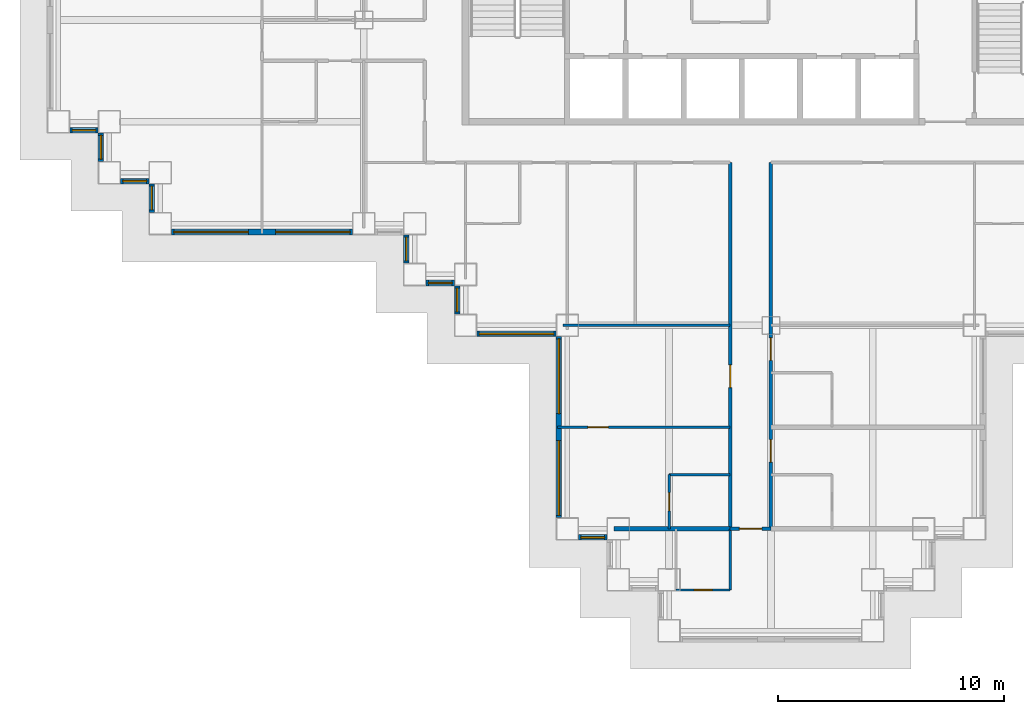
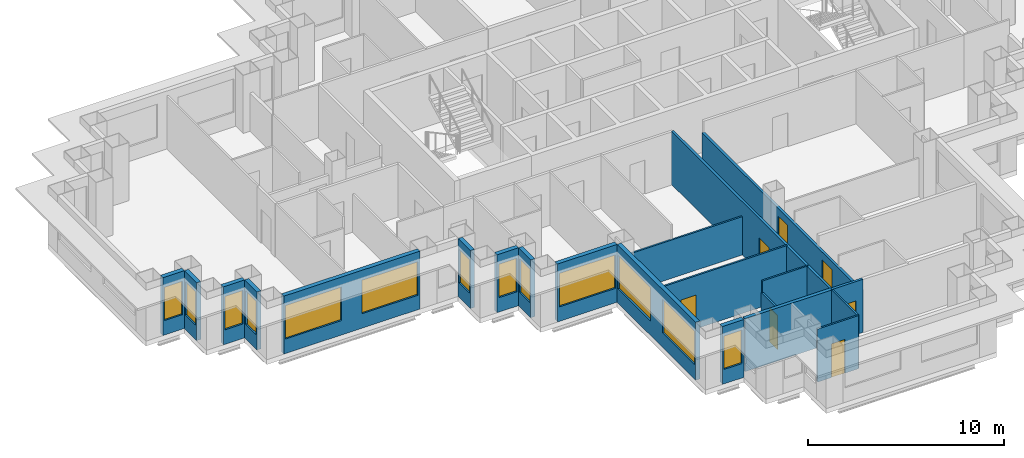
# One storey, part 3 of 14: 21 walls, 13 windows, 7 doors, 20 openings.
"""IFC4 building model written with IfcOpenShell, lengths in metres."""

from ifc_helpers import new_model, si_unit, direction, frame, frame_2d, origin, place, context, subcontext, project, spatial, rectangle, extrude, material, layer, layer_set, type_object, element, fill, save


model = new_model("IFC4")

# Units and contexts
model_context = context("Model", 3, precision=1e-05, world=origin(), true_north=direction((0.0, 1.0)))
body_context = subcontext(model_context, "Body", "Model", "MODEL_VIEW")
ifc_project = project(units=[si_unit("LENGTHUNIT", "METRE"), si_unit("AREAUNIT", "SQUARE_METRE"), si_unit("VOLUMEUNIT", "CUBIC_METRE"), si_unit("PLANEANGLEUNIT", "RADIAN"), si_unit("MASSUNIT", "GRAM", prefix="KILO")], contexts=[model_context])

# Site, building, storey
site_placement = place(None, origin())
site = spatial("IfcSite", under=ifc_project, at=site_placement, CompositionType="ELEMENT")
building_placement = place(site_placement, origin())
building = spatial("IfcBuilding", under=site, at=building_placement, Name="Caravel Reach Hotel and Residences", CompositionType="ELEMENT")
storey_placement = place(building_placement, frame((0.0, 0.0, 67.199951171875)))
storey = spatial("IfcBuildingStorey", under=building, at=storey_placement, Name="L15", CompositionType="ELEMENT", Elevation=67.199951171875)

# Wall, opening, door
ifc_material_1 = material(Name="Gypsum board on steel stud", Category="steel")
ifc_layer_1 = layer(ifc_material_1, 0.10009765625)
ifc_layer_set_1 = layer_set([ifc_layer_1], Name="Bathroom pod wall 100 mm")
wall_type_1 = type_object("IfcWallType", Name="Bathroom pod wall 100 mm", PredefinedType="PARTITIONING", material=ifc_layer_set_1)
wall_1_placement = place(storey_placement, frame((27.300048828125, 1.800048828125, 0.0), z_axis=(0.0, 0.0, 1.0), x_axis=(1.0, 0.0, 0.0)))
wall_1 = element("IfcWall", 1, at=wall_1_placement, inside=storey, type_object=wall_type_1, Name="L15 wall w073", PredefinedType="PARTITIONING", context=body_context, shape_type="SweptSolid", body=[
    extrude(rectangle(XDim=2.39990234375, YDim=0.10009765625, at=frame_2d((1.199951171875, 0.0))), origin(), (0.0, 0.0, 1.0), 3.300048828125),
])
opening_1_placement = place(wall_1_placement, frame((0.800048828125, 0.0, 0.0)))
opening_1 = element("IfcOpeningElement", 2, at=opening_1_placement, cuts=wall_1, Name="Opening D15-041", PredefinedType="OPENING", context=body_context, shape_type="SweptSolid", body=[
    extrude(rectangle(XDim=0.800048828125, YDim=2.10009765625, at=frame_2d((0.39990234375, 1.050048828125))), frame((0.0, 0.06005859375, 0.0), z_axis=(0.0, -1.0, 0.0), x_axis=(1.0, 0.0, 0.0)), (0.0, 0.0, 1.0), 0.1201171875),
])
ifc_material_2 = material(Name="Timber and steel door leaf", Category="steel")
door_type_1 = type_object("IfcDoorType", Name="Bathroom door 800 x 2100", OperationType="SINGLE_SWING_LEFT", PredefinedType="DOOR", material=ifc_material_2)
door_1_placement = place(opening_1_placement, origin())
door_1 = element("IfcDoor", 3, at=door_1_placement, inside=storey, type_object=door_type_1, Name="door D15-041", OperationType="SINGLE_SWING_RIGHT", OverallHeight=2.10009765625, OverallWidth=0.800048828125, PredefinedType="DOOR", context=body_context, shape_type="SweptSolid", body=[
    extrude(rectangle(XDim=0.800048828125, YDim=2.10009765625, at=frame_2d((0.39990234375, 1.050048828125))), frame((0.0, 0.02490234375, 0.0), z_axis=(0.0, -1.0, 0.0), x_axis=(1.0, 0.0, 0.0)), (0.0, 0.0, 1.0), 0.050048828125),
])
fill(opening_1, door_1)

# Wall
wall_2_placement = place(storey_placement, frame((27.0, 6.89990234375, 0.0), z_axis=(0.0, 0.0, 1.0), x_axis=(1.0, 0.0, 0.0)))
element("IfcWall", 4, at=wall_2_placement, inside=storey, type_object=wall_type_1, Name="L15 wall w087", PredefinedType="PARTITIONING", context=body_context, shape_type="SweptSolid", body=[
    extrude(rectangle(XDim=2.699951171875, YDim=0.10009765625, at=frame_2d((1.35009765625, 0.0))), origin(), (0.0, 0.0, 1.0), 3.300048828125),
])

# Wall, opening, door
wall_3_placement = place(storey_placement, frame((27.0, 4.5, 0.0), z_axis=(0.0, 0.0, 1.0), x_axis=(0.0, 1.0, 0.0)))
wall_3 = element("IfcWall", 5, at=wall_3_placement, inside=storey, type_object=wall_type_1, Name="L15 wall w093", PredefinedType="PARTITIONING", context=body_context, shape_type="SweptSolid", body=[
    extrude(rectangle(XDim=2.39990234375, YDim=0.10009765625, at=frame_2d((1.199951171875, 0.0))), origin(), (0.0, 0.0, 1.0), 2.580078125),
])
opening_2_placement = place(wall_3_placement, frame((0.800048828125, 0.0, 0.0)))
opening_2 = element("IfcOpeningElement", 6, at=opening_2_placement, cuts=wall_3, Name="Opening D15-032", PredefinedType="OPENING", context=body_context, shape_type="SweptSolid", body=[
    extrude(rectangle(XDim=0.800048828125, YDim=2.10009765625, at=frame_2d((0.39990234375, 1.050048828125))), frame((0.0, 0.06005859375, 0.0), z_axis=(0.0, -1.0, 0.0), x_axis=(1.0, 0.0, 0.0)), (0.0, 0.0, 1.0), 0.1201171875),
])
door_2_placement = place(opening_2_placement, origin())
door_2 = element("IfcDoor", 7, at=door_2_placement, inside=storey, type_object=door_type_1, Name="door D15-032", OperationType="SINGLE_SWING_RIGHT", OverallHeight=2.10009765625, OverallWidth=0.800048828125, PredefinedType="DOOR", context=body_context, shape_type="SweptSolid", body=[
    extrude(rectangle(XDim=0.800048828125, YDim=2.10009765625, at=frame_2d((0.39990234375, 1.050048828125))), frame((0.0, 0.02490234375, 0.0), z_axis=(0.0, -1.0, 0.0), x_axis=(1.0, 0.0, 0.0)), (0.0, 0.0, 1.0), 0.050048828125),
])
fill(opening_2, door_2)

# Wall
wall_4_placement = place(storey_placement, frame((29.699951171875, 1.800048828125, 0.0), z_axis=(0.0, 0.0, 1.0), x_axis=(0.0, 1.0, 0.0)))
element("IfcWall", 8, at=wall_4_placement, inside=storey, type_object=wall_type_1, Name="L15 wall w097", PredefinedType="PARTITIONING", context=body_context, shape_type="SweptSolid", body=[
    extrude(rectangle(XDim=2.699951171875, YDim=0.10009765625, at=frame_2d((1.35009765625, 0.0))), origin(), (0.0, 0.0, 1.0), 3.300048828125),
])

# Wall, opening, door
ifc_material_3 = material(Name="Gypsum board on steel stud, fire-rated", Category="steel")
ifc_layer_2 = layer(ifc_material_3, 0.14990234375)
ifc_layer_set_2 = layer_set([ifc_layer_2], Name="Corridor wall 150 mm EI 60")
wall_type_2 = type_object("IfcWallType", Name="Corridor wall 150 mm EI 60", PredefinedType="PARTITIONING", material=ifc_layer_set_2)
wall_5_placement = place(storey_placement, frame((29.699951171875, 4.5, 0.0), z_axis=(0.0, 0.0, 1.0), x_axis=(1.0, 0.0, 0.0)))
wall_5 = element("IfcWall", 9, at=wall_5_placement, inside=storey, type_object=wall_type_2, Name="L15 wall w019", PredefinedType="PARTITIONING", context=body_context, shape_type="SweptSolid", body=[
    extrude(rectangle(XDim=1.800048828125, YDim=0.14990234375, at=frame_2d((0.89990234375, 0.0))), origin(), (0.0, 0.0, 1.0), 3.300048828125),
])
opening_3_placement = place(wall_5_placement, frame((0.39990234375, 0.0, 0.0)))
opening_3 = element("IfcOpeningElement", 10, at=opening_3_placement, cuts=wall_5, Name="Opening D15-040", PredefinedType="OPENING", context=body_context, shape_type="SweptSolid", body=[
    extrude(rectangle(XDim=1.0, YDim=2.10009765625, at=frame_2d((0.5, 1.050048828125))), frame((0.0, 0.0849609375, 0.0), z_axis=(0.0, -1.0, 0.0), x_axis=(1.0, 0.0, 0.0)), (0.0, 0.0, 1.0), 0.169921875),
])
ifc_material_4 = material(Name="Steel fire door leaf", Category="steel")
door_type_2 = type_object("IfcDoorType", Name="Guest room door 1000 x 2100 EI 30", OperationType="SINGLE_SWING_LEFT", PredefinedType="DOOR", material=ifc_material_4)
door_3_placement = place(opening_3_placement, origin())
door_3 = element("IfcDoor", 11, at=door_3_placement, inside=storey, type_object=door_type_2, Name="door D15-040", OperationType="SINGLE_SWING_RIGHT", OverallHeight=2.10009765625, OverallWidth=1.0, PredefinedType="DOOR", context=body_context, shape_type="SweptSolid", body=[
    extrude(rectangle(XDim=1.0, YDim=2.10009765625, at=frame_2d((0.5, 1.050048828125))), frame((0.0, 0.02490234375, 0.0), z_axis=(0.0, -1.0, 0.0), x_axis=(1.0, 0.0, 0.0)), (0.0, 0.0, 1.0), 0.050048828125),
])
fill(opening_3, door_3)

wall_6_placement = place(storey_placement, frame((29.699951171875, 4.5, 0.0), z_axis=(0.0, 0.0, 1.0), x_axis=(0.0, 1.0, 0.0)))
wall_6 = element("IfcWall", 12, at=wall_6_placement, inside=storey, type_object=wall_type_2, Name="L15 wall w024", PredefinedType="PARTITIONING", context=body_context, shape_type="SweptSolid", body=[
    extrude(rectangle(XDim=16.199951171875, YDim=0.14990234375, at=frame_2d((8.10009765625, 0.0))), origin(), (0.0, 0.0, 1.0), 3.300048828125),
])
opening_4_placement = place(wall_6_placement, frame((6.25, 0.0, 0.0)))
opening_4 = element("IfcOpeningElement", 13, at=opening_4_placement, cuts=wall_6, Name="Opening D15-030", PredefinedType="OPENING", context=body_context, shape_type="SweptSolid", body=[
    extrude(rectangle(XDim=1.0, YDim=2.10009765625, at=frame_2d((0.5, 1.050048828125))), frame((0.0, 0.0849609375, 0.0), z_axis=(0.0, -1.0, 0.0), x_axis=(1.0, 0.0, 0.0)), (0.0, 0.0, 1.0), 0.169921875),
])
door_4_placement = place(opening_4_placement, origin())
door_4 = element("IfcDoor", 14, at=door_4_placement, inside=storey, type_object=door_type_2, Name="door D15-030", OperationType="SINGLE_SWING_LEFT", OverallHeight=2.10009765625, OverallWidth=1.0, PredefinedType="DOOR", context=body_context, shape_type="SweptSolid", body=[
    extrude(rectangle(XDim=1.0, YDim=2.10009765625, at=frame_2d((0.5, 1.050048828125))), frame((0.0, 0.02490234375, 0.0), z_axis=(0.0, -1.0, 0.0), x_axis=(1.0, 0.0, 0.0)), (0.0, 0.0, 1.0), 0.050048828125),
])
fill(opening_4, door_4)

# Wall, openings, doors
wall_7_placement = place(storey_placement, frame((31.5, 4.5, 0.0), z_axis=(0.0, 0.0, 1.0), x_axis=(0.0, 1.0, 0.0)))
wall_7 = element("IfcWall", 15, at=wall_7_placement, inside=storey, type_object=wall_type_2, Name="L15 wall w029", PredefinedType="PARTITIONING", context=body_context, shape_type="SweptSolid", body=[
    extrude(rectangle(XDim=16.199951171875, YDim=0.14990234375, at=frame_2d((8.10009765625, 0.0))), origin(), (0.0, 0.0, 1.0), 2.580078125),
])
opening_5_placement = place(wall_7_placement, frame((7.449951171875, 0.0, 0.0)))
opening_5 = element("IfcOpeningElement", 16, at=opening_5_placement, cuts=wall_7, Name="Opening D15-033", PredefinedType="OPENING", context=body_context, shape_type="SweptSolid", body=[
    extrude(rectangle(XDim=1.0, YDim=2.10009765625, at=frame_2d((0.5, 1.050048828125))), frame((0.0, 0.0849609375, 0.0), z_axis=(0.0, -1.0, 0.0), x_axis=(1.0, 0.0, 0.0)), (0.0, 0.0, 1.0), 0.169921875),
])
opening_6_placement = place(wall_7_placement, frame((2.949951171875, 0.0, 0.0)))
opening_6 = element("IfcOpeningElement", 17, at=opening_6_placement, cuts=wall_7, Name="Opening D15-035", PredefinedType="OPENING", context=body_context, shape_type="SweptSolid", body=[
    extrude(rectangle(XDim=1.0, YDim=2.10009765625, at=frame_2d((0.5, 1.050048828125))), frame((0.0, 0.0849609375, 0.0), z_axis=(0.0, -1.0, 0.0), x_axis=(1.0, 0.0, 0.0)), (0.0, 0.0, 1.0), 0.169921875),
])
door_5_placement = place(opening_5_placement, origin())
door_5 = element("IfcDoor", 18, at=door_5_placement, inside=storey, type_object=door_type_2, Name="door D15-033", OperationType="SINGLE_SWING_RIGHT", OverallHeight=2.10009765625, OverallWidth=1.0, PredefinedType="DOOR", context=body_context, shape_type="SweptSolid", body=[
    extrude(rectangle(XDim=1.0, YDim=2.10009765625, at=frame_2d((0.5, 1.050048828125))), frame((0.0, 0.02490234375, 0.0), z_axis=(0.0, -1.0, 0.0), x_axis=(1.0, 0.0, 0.0)), (0.0, 0.0, 1.0), 0.050048828125),
])
fill(opening_5, door_5)
door_6_placement = place(opening_6_placement, origin())
door_6 = element("IfcDoor", 19, at=door_6_placement, inside=storey, type_object=door_type_2, Name="door D15-035", OperationType="SINGLE_SWING_RIGHT", OverallHeight=2.10009765625, OverallWidth=1.0, PredefinedType="DOOR", context=body_context, shape_type="SweptSolid", body=[
    extrude(rectangle(XDim=1.0, YDim=2.10009765625, at=frame_2d((0.5, 1.050048828125))), frame((0.0, 0.02490234375, 0.0), z_axis=(0.0, -1.0, 0.0), x_axis=(1.0, 0.0, 0.0)), (0.0, 0.0, 1.0), 0.050048828125),
])
fill(opening_6, door_6)

# Wall, opening, window
ifc_material_5 = material(Name="Insulated rainscreen wall, aluminium cladding", Category="aluminium")
ifc_layer_3 = layer(ifc_material_5, 0.25)
ifc_layer_set_3 = layer_set([ifc_layer_3], Name="EW1 Tower rainscreen wall")
wall_type_3 = type_object("IfcWallType", Name="EW1 Tower rainscreen wall", PredefinedType="SOLIDWALL", material=ifc_layer_set_3)
wall_8_placement = place(storey_placement, frame((23.0, 4.125, 0.0), z_axis=(0.0, 0.0, 1.0), x_axis=(1.0, 0.0, 0.0)))
wall_8 = element("IfcWall", 20, at=wall_8_placement, inside=storey, type_object=wall_type_3, Name="External wall L15 S1.1", PredefinedType="SOLIDWALL", context=body_context, shape_type="SweptSolid", body=[
    extrude(rectangle(XDim=1.25, YDim=0.25, at=frame_2d((0.625, 0.0))), origin(), (0.0, 0.0, 1.0), 3.60009765625),
])
opening_7_placement = place(wall_8_placement, frame((0.10009765625, 0.0, 0.89990234375)))
opening_7 = element("IfcOpeningElement", 21, at=opening_7_placement, cuts=wall_8, Name="Opening WN3", PredefinedType="OPENING", context=body_context, shape_type="SweptSolid", body=[
    extrude(rectangle(XDim=1.050048828125, YDim=2.080078125, at=frame_2d((0.52490234375, 1.0400390625))), frame((0.0, 0.135009765625, 0.0), z_axis=(0.0, -1.0, 0.0), x_axis=(1.0, 0.0, 0.0)), (0.0, 0.0, 1.0), 0.27001953125),
])
ifc_material_6 = material(Name="Dark low-e glazing in black aluminium frame", Category="aluminium")
window_type_1 = type_object("IfcWindowType", Name="Hotel suite corner window 1050 x 2080", PartitioningType="SINGLE_PANEL", PredefinedType="WINDOW", material=ifc_material_6)
window_1_placement = place(opening_7_placement, origin())
window_1 = element("IfcWindow", 22, at=window_1_placement, inside=storey, type_object=window_type_1, Name="Window L15 S1.1.1", OverallHeight=2.080078125, OverallWidth=1.050048828125, PartitioningType="SINGLE_PANEL", PredefinedType="WINDOW", context=body_context, shape_type="SweptSolid", body=[
    extrude(rectangle(XDim=1.050048828125, YDim=2.080078125, at=frame_2d((0.52490234375, 1.0400390625))), frame((0.0, 0.030029296875, 0.0), z_axis=(0.0, -1.0, 0.0), x_axis=(1.0, 0.0, 0.0)), (0.0, 0.0, 1.0), 0.06005859375),
])
fill(opening_7, window_1)

wall_9_placement = place(storey_placement, frame((0.5, 22.125, 0.0), z_axis=(0.0, 0.0, 1.0), x_axis=(1.0, 0.0, 0.0)))
wall_9 = element("IfcWall", 23, at=wall_9_placement, inside=storey, type_object=wall_type_3, Name="External wall L15 S51.1", PredefinedType="SOLIDWALL", context=body_context, shape_type="SweptSolid", body=[
    extrude(rectangle(XDim=1.25, YDim=0.25, at=frame_2d((0.625, 0.0))), origin(), (0.0, 0.0, 1.0), 3.60009765625),
])
opening_8_placement = place(wall_9_placement, frame((0.10009765625, 0.0, 0.89990234375)))
opening_8 = element("IfcOpeningElement", 24, at=opening_8_placement, cuts=wall_9, Name="Opening WN3", PredefinedType="OPENING", context=body_context, shape_type="SweptSolid", body=[
    extrude(rectangle(XDim=1.050048828125, YDim=2.080078125, at=frame_2d((0.52490234375, 1.0400390625))), frame((0.0, 0.135009765625, 0.0), z_axis=(0.0, -1.0, 0.0), x_axis=(1.0, 0.0, 0.0)), (0.0, 0.0, 1.0), 0.27001953125),
])
window_2_placement = place(opening_8_placement, origin())
window_2 = element("IfcWindow", 25, at=window_2_placement, inside=storey, type_object=window_type_1, Name="Window L15 S51.1.1", OverallHeight=2.080078125, OverallWidth=1.050048828125, PartitioningType="SINGLE_PANEL", PredefinedType="WINDOW", context=body_context, shape_type="SweptSolid", body=[
    extrude(rectangle(XDim=1.050048828125, YDim=2.080078125, at=frame_2d((0.52490234375, 1.0400390625))), frame((0.0, 0.030029296875, 0.0), z_axis=(0.0, -1.0, 0.0), x_axis=(1.0, 0.0, 0.0)), (0.0, 0.0, 1.0), 0.06005859375),
])
fill(opening_8, window_2)

wall_10_placement = place(storey_placement, frame((1.875, 22.0, 0.0), z_axis=(0.0, 0.0, 1.0), x_axis=(0.0, -1.0, 0.0)))
wall_10 = element("IfcWall", 26, at=wall_10_placement, inside=storey, type_object=wall_type_3, Name="External wall L15 W52.1", PredefinedType="SOLIDWALL", context=body_context, shape_type="SweptSolid", body=[
    extrude(rectangle(XDim=1.25, YDim=0.25, at=frame_2d((0.625, 0.0))), origin(), (0.0, 0.0, 1.0), 3.60009765625),
])
opening_9_placement = place(wall_10_placement, frame((0.10009765625, 0.0, 0.89990234375)))
opening_9 = element("IfcOpeningElement", 27, at=opening_9_placement, cuts=wall_10, Name="Opening WN3", PredefinedType="OPENING", context=body_context, shape_type="SweptSolid", body=[
    extrude(rectangle(XDim=1.050048828125, YDim=2.080078125, at=frame_2d((0.52490234375, 1.0400390625))), frame((0.0, 0.135009765625, 0.0), z_axis=(0.0, -1.0, 0.0), x_axis=(1.0, 0.0, 0.0)), (0.0, 0.0, 1.0), 0.27001953125),
])
window_3_placement = place(opening_9_placement, origin())
window_3 = element("IfcWindow", 28, at=window_3_placement, inside=storey, type_object=window_type_1, Name="Window L15 W52.1.1", OverallHeight=2.080078125, OverallWidth=1.050048828125, PartitioningType="SINGLE_PANEL", PredefinedType="WINDOW", context=body_context, shape_type="SweptSolid", body=[
    extrude(rectangle(XDim=1.050048828125, YDim=2.080078125, at=frame_2d((0.52490234375, 1.0400390625))), frame((0.0, 0.030029296875, 0.0), z_axis=(0.0, -1.0, 0.0), x_axis=(1.0, 0.0, 0.0)), (0.0, 0.0, 1.0), 0.06005859375),
])
fill(opening_9, window_3)

wall_11_placement = place(storey_placement, frame((2.75, 19.875, 0.0), z_axis=(0.0, 0.0, 1.0), x_axis=(1.0, 0.0, 0.0)))
wall_11 = element("IfcWall", 29, at=wall_11_placement, inside=storey, type_object=wall_type_3, Name="External wall L15 S53.1", PredefinedType="SOLIDWALL", context=body_context, shape_type="SweptSolid", body=[
    extrude(rectangle(XDim=1.25, YDim=0.25, at=frame_2d((0.625, 0.0))), origin(), (0.0, 0.0, 1.0), 3.60009765625),
])
opening_10_placement = place(wall_11_placement, frame((0.10009765625, 0.0, 0.89990234375)))
opening_10 = element("IfcOpeningElement", 30, at=opening_10_placement, cuts=wall_11, Name="Opening WN3", PredefinedType="OPENING", context=body_context, shape_type="SweptSolid", body=[
    extrude(rectangle(XDim=1.050048828125, YDim=2.080078125, at=frame_2d((0.52490234375, 1.0400390625))), frame((0.0, 0.135009765625, 0.0), z_axis=(0.0, -1.0, 0.0), x_axis=(1.0, 0.0, 0.0)), (0.0, 0.0, 1.0), 0.27001953125),
])
window_4_placement = place(opening_10_placement, origin())
window_4 = element("IfcWindow", 31, at=window_4_placement, inside=storey, type_object=window_type_1, Name="Window L15 S53.1.1", OverallHeight=2.080078125, OverallWidth=1.050048828125, PartitioningType="SINGLE_PANEL", PredefinedType="WINDOW", context=body_context, shape_type="SweptSolid", body=[
    extrude(rectangle(XDim=1.050048828125, YDim=2.080078125, at=frame_2d((0.52490234375, 1.0400390625))), frame((0.0, 0.030029296875, 0.0), z_axis=(0.0, -1.0, 0.0), x_axis=(1.0, 0.0, 0.0)), (0.0, 0.0, 1.0), 0.06005859375),
])
fill(opening_10, window_4)

wall_12_placement = place(storey_placement, frame((4.125, 19.75, 0.0), z_axis=(0.0, 0.0, 1.0), x_axis=(0.0, -1.0, 0.0)))
wall_12 = element("IfcWall", 32, at=wall_12_placement, inside=storey, type_object=wall_type_3, Name="External wall L15 W54.1", PredefinedType="SOLIDWALL", context=body_context, shape_type="SweptSolid", body=[
    extrude(rectangle(XDim=1.25, YDim=0.25, at=frame_2d((0.625, 0.0))), origin(), (0.0, 0.0, 1.0), 3.60009765625),
])
opening_11_placement = place(wall_12_placement, frame((0.10009765625, 0.0, 0.89990234375)))
opening_11 = element("IfcOpeningElement", 33, at=opening_11_placement, cuts=wall_12, Name="Opening WN3", PredefinedType="OPENING", context=body_context, shape_type="SweptSolid", body=[
    extrude(rectangle(XDim=1.050048828125, YDim=2.080078125, at=frame_2d((0.52490234375, 1.0400390625))), frame((0.0, 0.135009765625, 0.0), z_axis=(0.0, -1.0, 0.0), x_axis=(1.0, 0.0, 0.0)), (0.0, 0.0, 1.0), 0.27001953125),
])
window_5_placement = place(opening_11_placement, origin())
window_5 = element("IfcWindow", 34, at=window_5_placement, inside=storey, type_object=window_type_1, Name="Window L15 W54.1.1", OverallHeight=2.080078125, OverallWidth=1.050048828125, PartitioningType="SINGLE_PANEL", PredefinedType="WINDOW", context=body_context, shape_type="SweptSolid", body=[
    extrude(rectangle(XDim=1.050048828125, YDim=2.080078125, at=frame_2d((0.52490234375, 1.0400390625))), frame((0.0, 0.030029296875, 0.0), z_axis=(0.0, -1.0, 0.0), x_axis=(1.0, 0.0, 0.0)), (0.0, 0.0, 1.0), 0.06005859375),
])
fill(opening_11, window_5)

# Wall, openings, windows
wall_13_placement = place(storey_placement, frame((5.0, 17.625, 0.0), z_axis=(0.0, 0.0, 1.0), x_axis=(1.0, 0.0, 0.0)))
wall_13 = element("IfcWall", 35, at=wall_13_placement, inside=storey, type_object=wall_type_3, Name="External wall L15 S55.1", PredefinedType="SOLIDWALL", context=body_context, shape_type="SweptSolid", body=[
    extrude(rectangle(XDim=8.0, YDim=0.25, at=frame_2d((4.0, 0.0))), origin(), (0.0, 0.0, 1.0), 3.60009765625),
])
opening_12_placement = place(wall_13_placement, frame((0.10009765625, 0.0, 0.89990234375)))
opening_12 = element("IfcOpeningElement", 36, at=opening_12_placement, cuts=wall_13, Name="Opening WN4", PredefinedType="OPENING", context=body_context, shape_type="SweptSolid", body=[
    extrude(rectangle(XDim=3.300048828125, YDim=2.080078125, at=frame_2d((1.64990234375, 1.0400390625))), frame((0.0, 0.135009765625, 0.0), z_axis=(0.0, -1.0, 0.0), x_axis=(1.0, 0.0, 0.0)), (0.0, 0.0, 1.0), 0.27001953125),
])
opening_13_placement = place(wall_13_placement, frame((4.60009765625, 0.0, 0.89990234375)))
opening_13 = element("IfcOpeningElement", 37, at=opening_13_placement, cuts=wall_13, Name="Opening WN4", PredefinedType="OPENING", context=body_context, shape_type="SweptSolid", body=[
    extrude(rectangle(XDim=3.300048828125, YDim=2.080078125, at=frame_2d((1.64990234375, 1.0400390625))), frame((0.0, 0.135009765625, 0.0), z_axis=(0.0, -1.0, 0.0), x_axis=(1.0, 0.0, 0.0)), (0.0, 0.0, 1.0), 0.27001953125),
])
ifc_material_7 = material(Name="Dark low-e glazing in black aluminium frame", Category="aluminium")
window_type_2 = type_object("IfcWindowType", Name="Hotel guest room window 3300 x 2080", PartitioningType="SINGLE_PANEL", PredefinedType="WINDOW", material=ifc_material_7)
window_6_placement = place(opening_12_placement, origin())
window_6 = element("IfcWindow", 38, at=window_6_placement, inside=storey, type_object=window_type_2, Name="Window L15 S55.1.1", OverallHeight=2.080078125, OverallWidth=3.300048828125, PartitioningType="SINGLE_PANEL", PredefinedType="WINDOW", context=body_context, shape_type="SweptSolid", body=[
    extrude(rectangle(XDim=3.300048828125, YDim=2.080078125, at=frame_2d((1.64990234375, 1.0400390625))), frame((0.0, 0.030029296875, 0.0), z_axis=(0.0, -1.0, 0.0), x_axis=(1.0, 0.0, 0.0)), (0.0, 0.0, 1.0), 0.06005859375),
])
fill(opening_12, window_6)
window_7_placement = place(opening_13_placement, origin())
window_7 = element("IfcWindow", 39, at=window_7_placement, inside=storey, type_object=window_type_2, Name="Window L15 S55.1.2", OverallHeight=2.080078125, OverallWidth=3.300048828125, PartitioningType="SINGLE_PANEL", PredefinedType="WINDOW", context=body_context, shape_type="SweptSolid", body=[
    extrude(rectangle(XDim=3.300048828125, YDim=2.080078125, at=frame_2d((1.64990234375, 1.0400390625))), frame((0.0, 0.030029296875, 0.0), z_axis=(0.0, -1.0, 0.0), x_axis=(1.0, 0.0, 0.0)), (0.0, 0.0, 1.0), 0.06005859375),
])
fill(opening_13, window_7)

# Wall, opening, window
wall_14_placement = place(storey_placement, frame((15.375, 17.5, 0.0), z_axis=(0.0, 0.0, 1.0), x_axis=(0.0, -1.0, 0.0)))
wall_14 = element("IfcWall", 40, at=wall_14_placement, inside=storey, type_object=wall_type_3, Name="External wall L15 W56.1", PredefinedType="SOLIDWALL", context=body_context, shape_type="SweptSolid", body=[
    extrude(rectangle(XDim=1.25, YDim=0.25, at=frame_2d((0.625, 0.0))), origin(), (0.0, 0.0, 1.0), 3.60009765625),
])
opening_14_placement = place(wall_14_placement, frame((0.10009765625, 0.0, 0.89990234375)))
opening_14 = element("IfcOpeningElement", 41, at=opening_14_placement, cuts=wall_14, Name="Opening WN3", PredefinedType="OPENING", context=body_context, shape_type="SweptSolid", body=[
    extrude(rectangle(XDim=1.050048828125, YDim=2.080078125, at=frame_2d((0.52490234375, 1.0400390625))), frame((0.0, 0.135009765625, 0.0), z_axis=(0.0, -1.0, 0.0), x_axis=(1.0, 0.0, 0.0)), (0.0, 0.0, 1.0), 0.27001953125),
])
window_8_placement = place(opening_14_placement, origin())
window_8 = element("IfcWindow", 42, at=window_8_placement, inside=storey, type_object=window_type_1, Name="Window L15 W56.1.1", OverallHeight=2.080078125, OverallWidth=1.050048828125, PartitioningType="SINGLE_PANEL", PredefinedType="WINDOW", context=body_context, shape_type="SweptSolid", body=[
    extrude(rectangle(XDim=1.050048828125, YDim=2.080078125, at=frame_2d((0.52490234375, 1.0400390625))), frame((0.0, 0.030029296875, 0.0), z_axis=(0.0, -1.0, 0.0), x_axis=(1.0, 0.0, 0.0)), (0.0, 0.0, 1.0), 0.06005859375),
])
fill(opening_14, window_8)

wall_15_placement = place(storey_placement, frame((16.25, 15.375, 0.0), z_axis=(0.0, 0.0, 1.0), x_axis=(1.0, 0.0, 0.0)))
wall_15 = element("IfcWall", 43, at=wall_15_placement, inside=storey, type_object=wall_type_3, Name="External wall L15 S57.1", PredefinedType="SOLIDWALL", context=body_context, shape_type="SweptSolid", body=[
    extrude(rectangle(XDim=1.25, YDim=0.25, at=frame_2d((0.625, 0.0))), origin(), (0.0, 0.0, 1.0), 3.60009765625),
])
opening_15_placement = place(wall_15_placement, frame((0.10009765625, 0.0, 0.89990234375)))
opening_15 = element("IfcOpeningElement", 44, at=opening_15_placement, cuts=wall_15, Name="Opening WN3", PredefinedType="OPENING", context=body_context, shape_type="SweptSolid", body=[
    extrude(rectangle(XDim=1.050048828125, YDim=2.080078125, at=frame_2d((0.52490234375, 1.0400390625))), frame((0.0, 0.135009765625, 0.0), z_axis=(0.0, -1.0, 0.0), x_axis=(1.0, 0.0, 0.0)), (0.0, 0.0, 1.0), 0.27001953125),
])
window_9_placement = place(opening_15_placement, origin())
window_9 = element("IfcWindow", 45, at=window_9_placement, inside=storey, type_object=window_type_1, Name="Window L15 S57.1.1", OverallHeight=2.080078125, OverallWidth=1.050048828125, PartitioningType="SINGLE_PANEL", PredefinedType="WINDOW", context=body_context, shape_type="SweptSolid", body=[
    extrude(rectangle(XDim=1.050048828125, YDim=2.080078125, at=frame_2d((0.52490234375, 1.0400390625))), frame((0.0, 0.030029296875, 0.0), z_axis=(0.0, -1.0, 0.0), x_axis=(1.0, 0.0, 0.0)), (0.0, 0.0, 1.0), 0.06005859375),
])
fill(opening_15, window_9)

wall_16_placement = place(storey_placement, frame((17.625, 15.25, 0.0), z_axis=(0.0, 0.0, 1.0), x_axis=(0.0, -1.0, 0.0)))
wall_16 = element("IfcWall", 46, at=wall_16_placement, inside=storey, type_object=wall_type_3, Name="External wall L15 W58.1", PredefinedType="SOLIDWALL", context=body_context, shape_type="SweptSolid", body=[
    extrude(rectangle(XDim=1.25, YDim=0.25, at=frame_2d((0.625, 0.0))), origin(), (0.0, 0.0, 1.0), 3.60009765625),
])
opening_16_placement = place(wall_16_placement, frame((0.10009765625, 0.0, 0.89990234375)))
opening_16 = element("IfcOpeningElement", 47, at=opening_16_placement, cuts=wall_16, Name="Opening WN3", PredefinedType="OPENING", context=body_context, shape_type="SweptSolid", body=[
    extrude(rectangle(XDim=1.050048828125, YDim=2.080078125, at=frame_2d((0.52490234375, 1.0400390625))), frame((0.0, 0.135009765625, 0.0), z_axis=(0.0, -1.0, 0.0), x_axis=(1.0, 0.0, 0.0)), (0.0, 0.0, 1.0), 0.27001953125),
])
window_10_placement = place(opening_16_placement, origin())
window_10 = element("IfcWindow", 48, at=window_10_placement, inside=storey, type_object=window_type_1, Name="Window L15 W58.1.1", OverallHeight=2.080078125, OverallWidth=1.050048828125, PartitioningType="SINGLE_PANEL", PredefinedType="WINDOW", context=body_context, shape_type="SweptSolid", body=[
    extrude(rectangle(XDim=1.050048828125, YDim=2.080078125, at=frame_2d((0.52490234375, 1.0400390625))), frame((0.0, 0.030029296875, 0.0), z_axis=(0.0, -1.0, 0.0), x_axis=(1.0, 0.0, 0.0)), (0.0, 0.0, 1.0), 0.06005859375),
])
fill(opening_16, window_10)

wall_17_placement = place(storey_placement, frame((18.5, 13.125, 0.0), z_axis=(0.0, 0.0, 1.0), x_axis=(1.0, 0.0, 0.0)))
wall_17 = element("IfcWall", 49, at=wall_17_placement, inside=storey, type_object=wall_type_3, Name="External wall L15 S59.1", PredefinedType="SOLIDWALL", context=body_context, shape_type="SweptSolid", body=[
    extrude(rectangle(XDim=3.5, YDim=0.25, at=frame_2d((1.75, 0.0))), origin(), (0.0, 0.0, 1.0), 3.60009765625),
])
opening_17_placement = place(wall_17_placement, frame((0.10009765625, 0.0, 0.89990234375)))
opening_17 = element("IfcOpeningElement", 50, at=opening_17_placement, cuts=wall_17, Name="Opening WN4", PredefinedType="OPENING", context=body_context, shape_type="SweptSolid", body=[
    extrude(rectangle(XDim=3.300048828125, YDim=2.080078125, at=frame_2d((1.64990234375, 1.0400390625))), frame((0.0, 0.135009765625, 0.0), z_axis=(0.0, -1.0, 0.0), x_axis=(1.0, 0.0, 0.0)), (0.0, 0.0, 1.0), 0.27001953125),
])
window_11_placement = place(opening_17_placement, origin())
window_11 = element("IfcWindow", 51, at=window_11_placement, inside=storey, type_object=window_type_2, Name="Window L15 S59.1.1", OverallHeight=2.080078125, OverallWidth=3.300048828125, PartitioningType="SINGLE_PANEL", PredefinedType="WINDOW", context=body_context, shape_type="SweptSolid", body=[
    extrude(rectangle(XDim=3.300048828125, YDim=2.080078125, at=frame_2d((1.64990234375, 1.0400390625))), frame((0.0, 0.030029296875, 0.0), z_axis=(0.0, -1.0, 0.0), x_axis=(1.0, 0.0, 0.0)), (0.0, 0.0, 1.0), 0.06005859375),
])
fill(opening_17, window_11)

# Wall, openings, windows
wall_18_placement = place(storey_placement, frame((22.125, 13.0, 0.0), z_axis=(0.0, 0.0, 1.0), x_axis=(0.0, -1.0, 0.0)))
wall_18 = element("IfcWall", 52, at=wall_18_placement, inside=storey, type_object=wall_type_3, Name="External wall L15 W60.1", PredefinedType="SOLIDWALL", context=body_context, shape_type="SweptSolid", body=[
    extrude(rectangle(XDim=8.0, YDim=0.25, at=frame_2d((4.0, 0.0))), origin(), (0.0, 0.0, 1.0), 3.60009765625),
])
opening_18_placement = place(wall_18_placement, frame((0.10009765625, 0.0, 0.89990234375)))
opening_18 = element("IfcOpeningElement", 53, at=opening_18_placement, cuts=wall_18, Name="Opening WN4", PredefinedType="OPENING", context=body_context, shape_type="SweptSolid", body=[
    extrude(rectangle(XDim=3.300048828125, YDim=2.080078125, at=frame_2d((1.64990234375, 1.0400390625))), frame((0.0, 0.135009765625, 0.0), z_axis=(0.0, -1.0, 0.0), x_axis=(1.0, 0.0, 0.0)), (0.0, 0.0, 1.0), 0.27001953125),
])
opening_19_placement = place(wall_18_placement, frame((4.60009765625, 0.0, 0.89990234375)))
opening_19 = element("IfcOpeningElement", 54, at=opening_19_placement, cuts=wall_18, Name="Opening WN4", PredefinedType="OPENING", context=body_context, shape_type="SweptSolid", body=[
    extrude(rectangle(XDim=3.300048828125, YDim=2.080078125, at=frame_2d((1.64990234375, 1.0400390625))), frame((0.0, 0.135009765625, 0.0), z_axis=(0.0, -1.0, 0.0), x_axis=(1.0, 0.0, 0.0)), (0.0, 0.0, 1.0), 0.27001953125),
])
window_12_placement = place(opening_18_placement, origin())
window_12 = element("IfcWindow", 55, at=window_12_placement, inside=storey, type_object=window_type_2, Name="Window L15 W60.1.1", OverallHeight=2.080078125, OverallWidth=3.300048828125, PartitioningType="SINGLE_PANEL", PredefinedType="WINDOW", context=body_context, shape_type="SweptSolid", body=[
    extrude(rectangle(XDim=3.300048828125, YDim=2.080078125, at=frame_2d((1.64990234375, 1.0400390625))), frame((0.0, 0.030029296875, 0.0), z_axis=(0.0, -1.0, 0.0), x_axis=(1.0, 0.0, 0.0)), (0.0, 0.0, 1.0), 0.06005859375),
])
fill(opening_18, window_12)
window_13_placement = place(opening_19_placement, origin())
window_13 = element("IfcWindow", 56, at=window_13_placement, inside=storey, type_object=window_type_2, Name="Window L15 W60.1.2", OverallHeight=2.080078125, OverallWidth=3.300048828125, PartitioningType="SINGLE_PANEL", PredefinedType="WINDOW", context=body_context, shape_type="SweptSolid", body=[
    extrude(rectangle(XDim=3.300048828125, YDim=2.080078125, at=frame_2d((1.64990234375, 1.0400390625))), frame((0.0, 0.030029296875, 0.0), z_axis=(0.0, -1.0, 0.0), x_axis=(1.0, 0.0, 0.0)), (0.0, 0.0, 1.0), 0.06005859375),
])
fill(opening_19, window_13)

# Wall
ifc_material_8 = material(Name="Gypsum board on steel stud", Category="steel")
ifc_layer_4 = layer(ifc_material_8, 0.10009765625)
ifc_layer_set_4 = layer_set([ifc_layer_4], Name="Partition 100 mm")
wall_type_4 = type_object("IfcWallType", Name="Partition 100 mm", PredefinedType="PARTITIONING", material=ifc_layer_set_4)
wall_19_placement = place(storey_placement, frame((22.31005859375, 13.5, 0.0), z_axis=(0.0, 0.0, 1.0), x_axis=(1.0, 0.0, 0.0)))
element("IfcWall", 57, at=wall_19_placement, inside=storey, type_object=wall_type_4, Name="L15 wall w039", PredefinedType="PARTITIONING", context=body_context, shape_type="SweptSolid", body=[
    extrude(rectangle(XDim=7.389892578125, YDim=0.10009765625, at=frame_2d((3.69482421875, 0.0))), origin(), (0.0, 0.0, 1.0), 2.380126953125),
])

# Wall, opening, door
wall_20_placement = place(storey_placement, frame((22.06005859375, 9.0, 0.0), z_axis=(0.0, 0.0, 1.0), x_axis=(1.0, 0.0, 0.0)))
wall_20 = element("IfcWall", 58, at=wall_20_placement, inside=storey, type_object=wall_type_4, Name="L15 wall w050", PredefinedType="PARTITIONING", context=body_context, shape_type="SweptSolid", body=[
    extrude(rectangle(XDim=7.639892578125, YDim=0.10009765625, at=frame_2d((3.81982421875, 0.0))), origin(), (0.0, 0.0, 1.0), 3.300048828125),
])
opening_20_placement = place(wall_20_placement, frame((1.35009765625, 0.0, 0.0)))
opening_20 = element("IfcOpeningElement", 59, at=opening_20_placement, cuts=wall_20, Name="Opening D15-031", PredefinedType="OPENING", context=body_context, shape_type="SweptSolid", body=[
    extrude(rectangle(XDim=0.89990234375, YDim=2.10009765625, at=frame_2d((0.449951171875, 1.050048828125))), frame((0.0, 0.06005859375, 0.0), z_axis=(0.0, -1.0, 0.0), x_axis=(1.0, 0.0, 0.0)), (0.0, 0.0, 1.0), 0.1201171875),
])
ifc_material_9 = material(Name="Timber and steel door leaf", Category="steel")
door_type_3 = type_object("IfcDoorType", Name="Door 900 x 2100 timber", OperationType="SINGLE_SWING_LEFT", PredefinedType="DOOR", material=ifc_material_9)
door_7_placement = place(opening_20_placement, origin())
door_7 = element("IfcDoor", 60, at=door_7_placement, inside=storey, type_object=door_type_3, Name="door D15-031", OperationType="SINGLE_SWING_LEFT", OverallHeight=2.10009765625, OverallWidth=0.89990234375, PredefinedType="DOOR", context=body_context, shape_type="SweptSolid", body=[
    extrude(rectangle(XDim=0.89990234375, YDim=2.10009765625, at=frame_2d((0.449951171875, 1.050048828125))), frame((0.0, 0.02490234375, 0.0), z_axis=(0.0, -1.0, 0.0), x_axis=(1.0, 0.0, 0.0)), (0.0, 0.0, 1.0), 0.050048828125),
])
fill(opening_20, door_7)

# Wall
ifc_material_10 = material(Name="Autoclaved aerated block wall")
ifc_layer_5 = layer(ifc_material_10, 0.199951171875)
ifc_layer_set_5 = layer_set([ifc_layer_5], Name="Party wall 200 mm EI 60")
wall_type_5 = type_object("IfcWallType", Name="Party wall 200 mm EI 60", PredefinedType="PARTITIONING", material=ifc_layer_set_5)
wall_21_placement = place(storey_placement, frame((24.56005859375, 4.5, 0.0), z_axis=(0.0, 0.0, 1.0), x_axis=(1.0, 0.0, 0.0)))
element("IfcWall", 61, at=wall_21_placement, inside=storey, type_object=wall_type_5, Name="L15 wall w067", PredefinedType="PARTITIONING", context=body_context, shape_type="SweptSolid", body=[
    extrude(rectangle(XDim=5.139892578125, YDim=0.199951171875, at=frame_2d((2.56982421875, 0.0))), origin(), (0.0, 0.0, 1.0), 3.300048828125),
])

save(model, "model.ifc")
